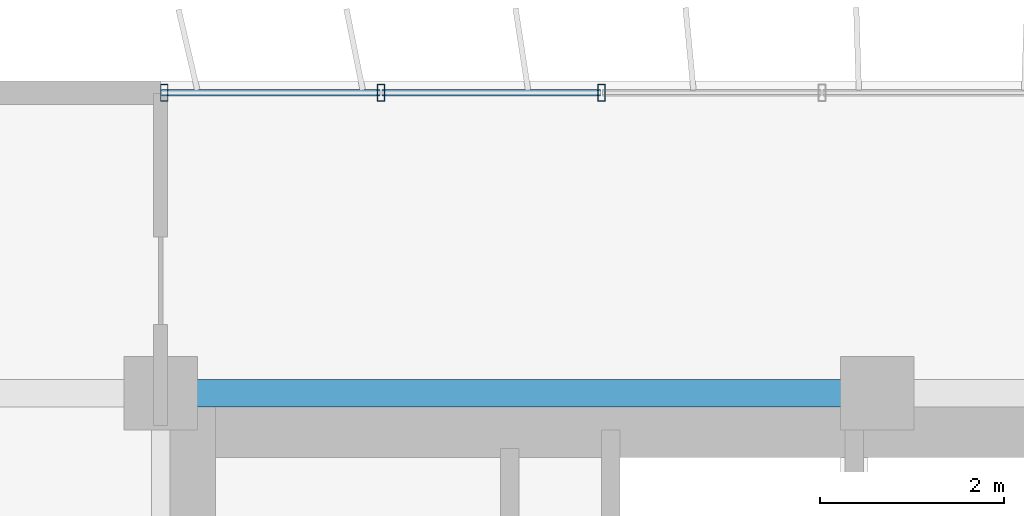
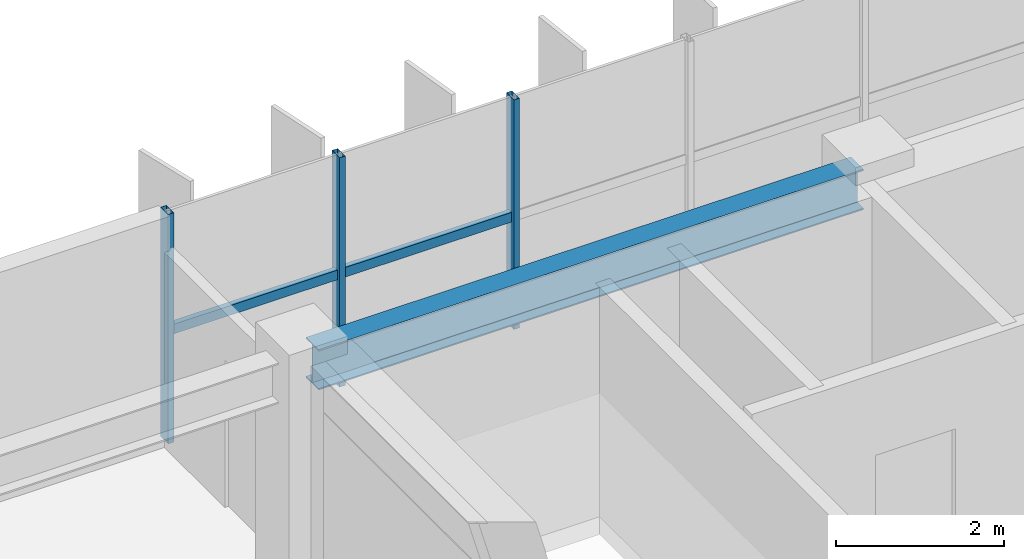
# One storey, part 5 of 21: 5 members, 1 beam, 1 element without a shape of its own.
"""IFC4 building model written with IfcOpenShell, lengths in metres."""

import ifcopenshell
import ifcopenshell.guid

model = None  # the IFC model being written
_history = None  # IfcOwnerHistory: only IFC2X3 demands one
_inside = {}  # id of a spatial element -> (the spatial element, [elements in it])
_under = {}  # id of a project, library or spatial element -> (it, [spatial elements below it])
_declared = {}  # id of a project -> (the project, [libraries it declares])
_typed = {}  # id of a type object -> (the type object, [elements of that type])
_made_of = {}  # id of a material, layer set ... -> (it, [elements and type objects made of it])


def new_model(schema):
    """Start an empty IFC model of exactly this schema.

    Asked for "IFC4X3", IfcOpenShell would pick the latest addendum, in which some entities
    have other attributes; the version numbers below select the first issue.
    IFC2X3 requires an IfcOwnerHistory on every rooted entity: one is made here for all.
    """
    global model, _history
    if schema == "IFC4X3":
        model = ifcopenshell.file(schema_version=(4, 3, 0, 0))
    else:
        model = ifcopenshell.file(schema=schema)
    _inside.clear()
    _under.clear()
    _declared.clear()
    _typed.clear()
    _made_of.clear()
    _history = None
    if model.schema == "IFC2X3":
        org = make("IfcOrganization", Name="unknown")
        user = make(
            "IfcPersonAndOrganization",
            ThePerson=make("IfcPerson", FamilyName="unknown"),
            TheOrganization=org,
        )
        app = make(
            "IfcApplication",
            ApplicationDeveloper=org,
            Version="unknown",
            ApplicationFullName="unknown",
            ApplicationIdentifier="unknown",
        )
        _history = make(
            "IfcOwnerHistory",
            OwningUser=user,
            OwningApplication=app,
            ChangeAction="ADDED",
            CreationDate=0,
        )
    return model


def make(cls, **values):
    """One entity of the class cls with the attributes given. An attribute that is None is left unset."""
    return model.create_entity(
        cls, **{name: value for name, value in values.items() if value is not None}
    )


def rooted(cls, **values):
    """An entity with a GlobalId (a new one), such as an element, a storey or a relation."""
    return make(cls, GlobalId=ifcopenshell.guid.new(), OwnerHistory=_history, **values)


def si_unit(unit_type, name, prefix=None):
    """IfcSIUnit, for example si_unit("LENGTHUNIT", "METRE", prefix="MILLI")."""
    return make("IfcSIUnit", UnitType=unit_type, Prefix=prefix, Name=name)


def assignment(units):
    """IfcUnitAssignment: the units of a project."""
    return None if units is None else make("IfcUnitAssignment", Units=units)


def point(xyz):
    """IfcCartesianPoint."""
    return None if xyz is None else make("IfcCartesianPoint", Coordinates=xyz)


def direction(xyz):
    """IfcDirection."""
    return None if xyz is None else make("IfcDirection", DirectionRatios=xyz)


def frame(location, z_axis=None, x_axis=None):
    """IfcAxis2Placement3D, a coordinate frame: its origin and axes. An axis left out is left unset."""
    return make(
        "IfcAxis2Placement3D",
        Location=point(location),
        Axis=direction(z_axis),
        RefDirection=direction(x_axis),
    )


def frame_2d(location, x_axis=None):
    """IfcAxis2Placement2D, a coordinate frame in the plane: its origin and x axis."""
    return make(
        "IfcAxis2Placement2D", Location=point(location), RefDirection=direction(x_axis)
    )


def origin():
    """The frame at (0, 0, 0) with its axes left unset."""
    return frame((0.0, 0.0, 0.0))


def origin_2d():
    """The frame at (0, 0) in the plane with its x axis left unset."""
    return frame_2d((0.0, 0.0))


def place(relative_to, where):
    """IfcLocalPlacement: puts the frame where relative to a parent placement (None: the world)."""
    return make(
        "IfcLocalPlacement", PlacementRelTo=relative_to, RelativePlacement=where
    )


def context(
    kind, dimensions, precision=None, world=None, true_north=None, identifier=None
):
    """IfcGeometricRepresentationContext, for example the 3D "Model" context."""
    return make(
        "IfcGeometricRepresentationContext",
        ContextIdentifier=identifier,
        ContextType=kind,
        CoordinateSpaceDimension=dimensions,
        Precision=precision,
        WorldCoordinateSystem=world,
        TrueNorth=true_north,
    )


def subcontext(parent, identifier, kind, view, scale=None):
    """IfcGeometricRepresentationSubContext, for example "Body" below "Model"."""
    return make(
        "IfcGeometricRepresentationSubContext",
        ContextIdentifier=identifier,
        ContextType=kind,
        ParentContext=parent,
        TargetScale=scale,
        TargetView=view,
    )


def project(units=None, contexts=None):
    """IfcProject with its units and contexts."""
    return rooted(
        "IfcProject",
        Name="project",
        RepresentationContexts=contexts,
        UnitsInContext=assignment(units),
    )


def spatial(cls, under=None, at=None, **own):
    """A site, building, storey or space (cls), placed at a placement, below another one or the project."""
    s = rooted(cls, ObjectPlacement=at, **own)
    if under is not None:
        _under.setdefault(under.id(), (under, []))[1].append(s)
    return s


def profile(cls, at=None, kind="AREA", **sizes):
    """A parametric profile (cls). Its sizes go by their IFC names, for example OverallWidth=200.0."""
    return make(cls, ProfileType=kind, Position=at, **sizes)


def hollow_rectangle(**sizes):
    """IfcRectangleHollowProfileDef."""
    return profile("IfcRectangleHollowProfileDef", **sizes)


def i_section(**sizes):
    """IfcIShapeProfileDef."""
    return profile("IfcIShapeProfileDef", **sizes)


def extrude(swept, where, along, depth):
    """IfcExtrudedAreaSolid: the profile swept, set in the frame where, extruded along a direction by depth."""
    return make(
        "IfcExtrudedAreaSolid",
        SweptArea=swept,
        Position=where,
        ExtrudedDirection=direction(along),
        Depth=depth,
    )


def shape(context_of_items, identifier, shape_type, items):
    """IfcShapeRepresentation: the items that make up one representation, for example the "Body"."""
    return make(
        "IfcShapeRepresentation",
        ContextOfItems=context_of_items,
        RepresentationIdentifier=identifier,
        RepresentationType=shape_type,
        Items=items,
    )


def source(mapping_origin, context_of_items, identifier, shape_type, items):
    """IfcRepresentationMap: a shape defined once, which mapped items show again and again."""
    return make(
        "IfcRepresentationMap",
        MappingOrigin=mapping_origin,
        MappedRepresentation=shape(context_of_items, identifier, shape_type, items),
    )


def transform(
    local_origin,
    x_axis=None,
    y_axis=None,
    z_axis=None,
    scale=None,
    scale2=None,
    scale3=None,
    uniform=True,
):
    """IfcCartesianTransformationOperator3D, or its non-uniform kind. x_axis, y_axis, z_axis: its Axis1, 2, 3."""
    if uniform:
        return make(
            "IfcCartesianTransformationOperator3D",
            Axis1=direction(x_axis),
            Axis2=direction(y_axis),
            LocalOrigin=point(local_origin),
            Scale=scale,
            Axis3=direction(z_axis),
        )
    return make(
        "IfcCartesianTransformationOperator3DnonUniform",
        Axis1=direction(x_axis),
        Axis2=direction(y_axis),
        LocalOrigin=point(local_origin),
        Scale=scale,
        Axis3=direction(z_axis),
        Scale2=scale2,
        Scale3=scale3,
    )


def mapped(mapping_source, mapping_target):
    """IfcMappedItem: shows the shape of a source again, moved by a transform."""
    return make(
        "IfcMappedItem", MappingSource=mapping_source, MappingTarget=mapping_target
    )


def material(Name=None, Category=None):
    """IfcMaterial."""
    return make("IfcMaterial", Name=Name, Category=Category)


def material_profile(
    of_material, cross_section, Name=None, Category=None, Priority=None
):
    """IfcMaterialProfile: a cross section and its material."""
    return make(
        "IfcMaterialProfile",
        Name=Name,
        Material=of_material,
        Profile=cross_section,
        Priority=Priority,
        Category=Category,
    )


def profile_set(profiles, Name=None, composite=None):
    """IfcMaterialProfileSet."""
    return make(
        "IfcMaterialProfileSet",
        Name=Name,
        MaterialProfiles=profiles,
        CompositeProfile=composite,
    )


def made_of(thing, what):
    """Note that an element or type object is made of a material, layer set ...; save() writes the relation."""
    if what is not None:
        _made_of.setdefault(what.id(), (what, []))[1].append(thing)
    return thing


def type_object(cls, material=None, **own):
    """A type object (cls), such as IfcWallType, which elements share."""
    return made_of(rooted(cls, **own), material)


def element(
    cls,
    number,
    at=None,
    inside=None,
    cuts=None,
    type_object=None,
    material=None,
    context=None,
    identifier="Body",
    shape_type=None,
    held_by="IfcProductDefinitionShape",
    body=None,
    shapes=None,
    **own,
):
    """One element of the class cls, such as IfcWall. Its Tag is "e" and its number.

    at: its placement. inside: the storey or other place that contains it. cuts: it is an
    opening in that element (IfcRelVoidsElement). A single representation is given by context,
    identifier, shape_type and body (its items); several are given by shapes. held_by: the class
    of the entity that holds the representations. save() writes the other relations.
    """
    e = rooted(cls, Tag="e%d" % number, ObjectPlacement=at, **own)
    if body is not None:
        shapes = [shape(context, identifier, shape_type, body)]
    if shapes is not None:
        e.Representation = make(held_by, Representations=shapes)
    if inside is not None:
        _inside.setdefault(inside.id(), (inside, []))[1].append(e)
    if cuts is not None:
        rooted(
            "IfcRelVoidsElement", RelatingBuildingElement=cuts, RelatedOpeningElement=e
        )
    if type_object is not None:
        _typed.setdefault(type_object.id(), (type_object, []))[1].append(e)
    return made_of(e, material)


def aggregate(whole, parts):
    """IfcRelAggregates: a whole, such as a stair, and the parts it consists of."""
    return rooted("IfcRelAggregates", RelatingObject=whole, RelatedObjects=parts)


def save(model, path):
    """Write the relations noted so far, then the file.

    IfcRelAggregates (storeys below a building ...), IfcRelContainedInSpatialStructure (elements
    in a storey), IfcRelDefinesByType, IfcRelAssociatesMaterial and IfcRelDeclares: one each for
    every whole, place, type object, material and project.
    """
    for whole, parts in _under.values():
        aggregate(whole, parts)
    for where, things in _inside.values():
        rooted(
            "IfcRelContainedInSpatialStructure",
            RelatedElements=things,
            RelatingStructure=where,
        )
    for kind, things in _typed.values():
        rooted("IfcRelDefinesByType", RelatedObjects=things, RelatingType=kind)
    for what, things in _made_of.values():
        rooted("IfcRelAssociatesMaterial", RelatedObjects=things, RelatingMaterial=what)
    for by, libraries in _declared.values():
        rooted("IfcRelDeclares", RelatingContext=by, RelatedDefinitions=libraries)
    model.write(path)


model = new_model("IFC4")

# Units and contexts
model_context = context("Model", 3, precision=1e-05, world=origin(), true_north=direction((0.0, 1.0)))
body_context = subcontext(model_context, "Body", "Model", "MODEL_VIEW")
ifc_project = project(units=[si_unit("LENGTHUNIT", "METRE"), si_unit("AREAUNIT", "SQUARE_METRE"), si_unit("VOLUMEUNIT", "CUBIC_METRE"), si_unit("PLANEANGLEUNIT", "RADIAN"), si_unit("MASSUNIT", "GRAM", prefix="KILO")], contexts=[model_context])

# Site, building, storey
site_placement = place(None, origin())
site = spatial("IfcSite", under=ifc_project, at=site_placement, CompositionType="ELEMENT")
building_placement = place(site_placement, origin())
building = spatial("IfcBuilding", under=site, at=building_placement, Name="Trelvane Seafront Commons", CompositionType="ELEMENT")
storey_placement = place(building_placement, frame((0.0, 0.0, 110.5)))
storey = spatial("IfcBuildingStorey", under=building, at=storey_placement, Name="L28", CompositionType="ELEMENT", Elevation=110.5)

# Beam
ifc_material_1 = material(Name="Steel SM355 (S355)", Category="steel")
ifc_material_profile_1 = material_profile(ifc_material_1, i_section(OverallWidth=0.300048828125, OverallDepth=0.587890625, WebThickness=0.011962890625, FlangeThickness=0.02001953125, at=origin_2d()), Name="H-588x300x12x20")
ifc_profile_set_1 = profile_set([ifc_material_profile_1], Name="Steel SM355 (S355)")
beam_type = type_object("IfcBeamType", Name="STR-BM-H588", PredefinedType="BEAM", material=ifc_profile_set_1)
shared_shape_1 = source(origin(), body_context, "Body", "SweptSolid", [
    extrude(i_section(OverallWidth=0.300048828125, OverallDepth=0.587890625, WebThickness=0.011962890625, FlangeThickness=0.02001953125, at=origin_2d()), origin(), (0.0, 0.0, 1.0), 7.5),
])
beam_placement = place(storey_placement, frame((15.75, 45.10009765625, 3.0458984375), z_axis=(1.0, 0.0, 0.0), x_axis=(0.0, 1.0, 0.0)))
element("IfcBeam", 1, at=beam_placement, inside=storey, type_object=beam_type, Name="L28 Primary Girder G-30", PredefinedType="BEAM", context=body_context, shape_type="MappedRepresentation", body=[
    mapped(shared_shape_1, transform((0.0, 0.0, 0.0), x_axis=(1.0, 0.0, 0.0), y_axis=(0.0, 1.0, 0.0), z_axis=(0.0, 0.0, 1.0), scale=1.0)),
])

# Curtain wall, members
ifc_material_2 = material(Name="Anodised pale-silver aluminium", Category="aluminium")
curtain_wall_type = type_object("IfcCurtainWallType", Name="ARCH-CW4-SKYLOBBY", PredefinedType="NOTDEFINED", material=ifc_material_2)
curtain_wall_placement = place(storey_placement, origin())
curtain_wall = element("IfcCurtainWall", 2, at=curtain_wall_placement, inside=storey, type_object=curtain_wall_type, Name="CW-L28-0053", PredefinedType="NOTDEFINED")
ifc_material_profile_2 = material_profile(ifc_material_2, hollow_rectangle(XDim=0.074951171875, YDim=0.139892578125, WallThickness=0.00390625, at=origin_2d()), Name="TRAN-75x140x4")
ifc_profile_set_2 = profile_set([ifc_material_profile_2], Name="Anodised pale-silver aluminium")
member_type_1 = type_object("IfcMemberType", Name="ARCH-CW-TRAN-140", PredefinedType="USERDEFINED", material=ifc_profile_set_2)
shared_shape_2 = source(origin(), body_context, "Body", "SweptSolid", [
    extrude(hollow_rectangle(XDim=0.074951171875, YDim=0.139892578125, WallThickness=0.00390625, at=origin_2d()), origin(), (0.0, 0.0, 1.0), 2.3759765625),
])
member_1_placement = place(storey_placement, frame((15.612060546875, 48.3701171875, 1.60302734375), z_axis=(1.0, 0.0, 0.0), x_axis=(0.0, 1.0, 0.0)))
member_1 = element("IfcMember", 3, at=member_1_placement, type_object=member_type_1, Name="CW-L28-0053-T00", ObjectType="TRANSOM", PredefinedType="USERDEFINED", context=body_context, shape_type="MappedRepresentation", body=[
    mapped(shared_shape_2, transform((0.0, 0.0, 0.0), x_axis=(1.0, 0.0, 0.0), y_axis=(0.0, 1.0, 0.0), z_axis=(0.0, 0.0, 1.0), scale=1.0)),
])
member_2_placement = place(storey_placement, frame((18.011962890625, 48.3701171875, 1.60302734375), z_axis=(1.0, 0.0, 0.0), x_axis=(0.0, 1.0, 0.0)))
member_2 = element("IfcMember", 4, at=member_2_placement, type_object=member_type_1, Name="CW-L28-0053-T01", ObjectType="TRANSOM", PredefinedType="USERDEFINED", context=body_context, shape_type="MappedRepresentation", body=[
    mapped(shared_shape_2, transform((0.0, 0.0, 0.0), x_axis=(1.0, 0.0, 0.0), y_axis=(0.0, 1.0, 0.0), z_axis=(0.0, 0.0, 1.0), scale=1.0)),
])
ifc_material_profile_3 = material_profile(ifc_material_2, hollow_rectangle(XDim=0.080078125, YDim=0.179931640625, WallThickness=0.00439453125, at=origin_2d()), Name="MULL-80x180x4.5")
ifc_profile_set_3 = profile_set([ifc_material_profile_3], Name="Anodised pale-silver aluminium")
member_type_2 = type_object("IfcMemberType", Name="ARCH-CW-MULL-180", PredefinedType="MULLION", material=ifc_profile_set_3)
shared_shape_3 = source(origin(), body_context, "Body", "SweptSolid", [
    extrude(hollow_rectangle(XDim=0.080078125, YDim=0.179931640625, WallThickness=0.00439453125, at=origin_2d()), origin(), (0.0, 0.0, 1.0), 3.340087890625),
])
member_3_placement = place(storey_placement, frame((15.639892578125, 48.3701171875, 0.0), z_axis=(0.0, 0.0, 1.0), x_axis=(1.0, 0.0, 0.0)))
member_3 = element("IfcMember", 5, at=member_3_placement, type_object=member_type_2, Name="CW-L28-0053-M00", PredefinedType="MULLION", context=body_context, shape_type="MappedRepresentation", body=[
    mapped(shared_shape_3, transform((0.0, 0.0, 0.0), x_axis=(1.0, 0.0, 0.0), y_axis=(0.0, 1.0, 0.0), z_axis=(0.0, 0.0, 1.0), scale=1.0)),
])
member_4_placement = place(storey_placement, frame((18.0, 48.3701171875, 0.0), z_axis=(0.0, 0.0, 1.0), x_axis=(1.0, 0.0, 0.0)))
member_4 = element("IfcMember", 6, at=member_4_placement, type_object=member_type_2, Name="CW-L28-0053-M01", PredefinedType="MULLION", context=body_context, shape_type="MappedRepresentation", body=[
    mapped(shared_shape_3, transform((0.0, 0.0, 0.0), x_axis=(1.0, 0.0, 0.0), y_axis=(0.0, 1.0, 0.0), z_axis=(0.0, 0.0, 1.0), scale=1.0)),
])
member_5_placement = place(storey_placement, frame((20.39990234375, 48.3701171875, 0.0), z_axis=(0.0, 0.0, 1.0), x_axis=(1.0, 0.0, 0.0)))
member_5 = element("IfcMember", 7, at=member_5_placement, type_object=member_type_2, Name="CW-L28-0053-M02", PredefinedType="MULLION", context=body_context, shape_type="MappedRepresentation", body=[
    mapped(shared_shape_3, transform((0.0, 0.0, 0.0), x_axis=(1.0, 0.0, 0.0), y_axis=(0.0, 1.0, 0.0), z_axis=(0.0, 0.0, 1.0), scale=1.0)),
])
aggregate(curtain_wall, [member_3, member_4, member_5, member_1, member_2])

save(model, "model.ifc")
